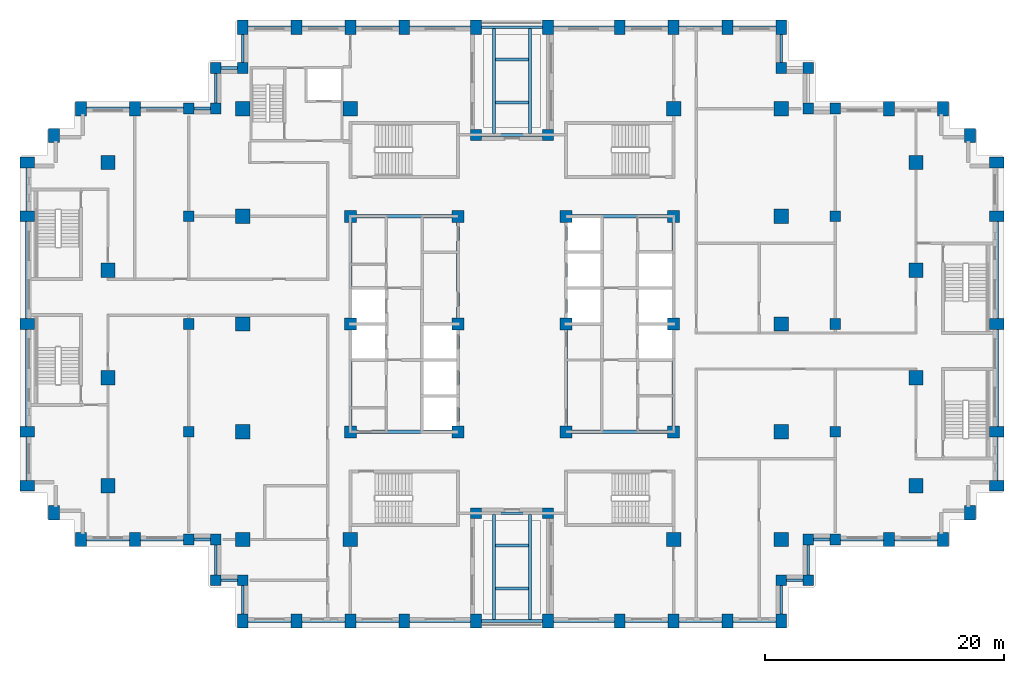
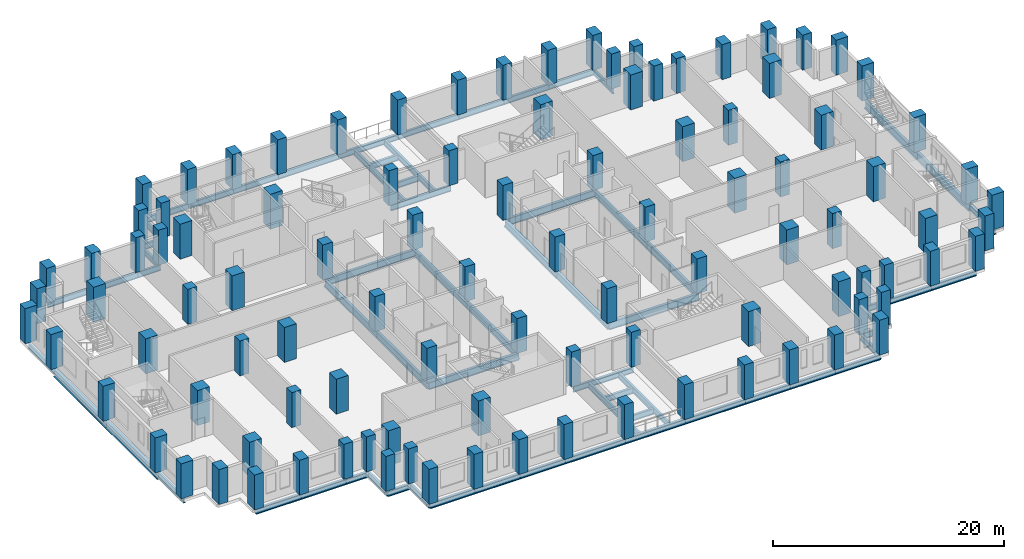
# One storey, part 1 of 13: 102 columns, 66 beams.
"""IFC4 building model written with IfcOpenShell, lengths in metres."""

from ifc_helpers import new_model, si_unit, direction, frame, origin, origin_2d, place, context, subcontext, project, spatial, rectangle, i_section, extrude, material, material_profile, profile_set, type_object, element, save


model = new_model("IFC4")

# Units and contexts
model_context = context("Model", 3, precision=1e-05, world=origin(), true_north=direction((0.0, 1.0)))
body_context = subcontext(model_context, "Body", "Model", "MODEL_VIEW")
ifc_project = project(units=[si_unit("LENGTHUNIT", "METRE"), si_unit("AREAUNIT", "SQUARE_METRE"), si_unit("VOLUMEUNIT", "CUBIC_METRE"), si_unit("PLANEANGLEUNIT", "RADIAN"), si_unit("MASSUNIT", "GRAM", prefix="KILO")], contexts=[model_context])

# Site, building, storey
site_placement = place(None, origin())
site = spatial("IfcSite", under=ifc_project, at=site_placement, CompositionType="ELEMENT")
building_placement = place(site_placement, origin())
building = spatial("IfcBuilding", under=site, at=building_placement, Name="Corbelhall Arena Tower", CompositionType="ELEMENT")
storey_placement = place(building_placement, frame((0.0, 0.0, 68.0)))
storey = spatial("IfcBuildingStorey", under=building, at=storey_placement, Name="L09", CompositionType="ELEMENT", Elevation=68.0)

# Columns
ifc_material_1 = material(Name="Concrete C80/95", Category="concrete")
ifc_material_profile_1 = material_profile(ifc_material_1, rectangle(XDim=1.0, YDim=1.0, at=origin_2d()))
ifc_profile_set_1 = profile_set([ifc_material_profile_1], Name="Concrete C80/95")
column_type_1 = type_object("IfcColumnType", Name="ST-COL-RC 1000x1000", PredefinedType="COLUMN", material=ifc_profile_set_1)
for number, where, z_axis, x_axis, name in (
    (1, (4.5, 0.0, 0.0), (0.0, 0.0, 1.0), (1.0, 0.0, 0.0), "Column KE+0450+0000"),
    (2, (4.5, 9.0, 0.0), (0.0, 0.0, 1.0), (1.0, 0.0, 0.0), "Column KE+0450+0900"),
    (3, (4.5, -9.0, 0.0), (0.0, 0.0, 1.0), (1.0, 0.0, 0.0), "Column KE+0450-0900"),
    (4, (13.5, 0.0, 0.0), (0.0, 0.0, 1.0), (1.0, 0.0, 0.0), "Column KE+1350+0000"),
    (5, (13.5, 9.0, 0.0), (0.0, 0.0, 1.0), (1.0, 0.0, 0.0), "Column KE+1350+0900"),
    (6, (13.5, -9.0, 0.0), (0.0, 0.0, 1.0), (1.0, 0.0, 0.0), "Column KE+1350-0900"),
    (7, (-4.5, 0.0, 0.0), (0.0, 0.0, 1.0), (1.0, 0.0, 0.0), "Column KW-0450+0000"),
    (8, (-4.5, 9.0, 0.0), (0.0, 0.0, 1.0), (1.0, 0.0, 0.0), "Column KW-0450+0900"),
    (9, (-4.5, -9.0, 0.0), (0.0, 0.0, 1.0), (1.0, 0.0, 0.0), "Column KW-0450-0900"),
    (10, (-13.5, 0.0, 0.0), (0.0, 0.0, 1.0), (1.0, 0.0, 0.0), "Column KW-1350+0000"),
    (11, (-13.5, 9.0, 0.0), (0.0, 0.0, 1.0), (1.0, 0.0, 0.0), "Column KW-1350+0900"),
    (12, (-13.5, -9.0, 0.0), (0.0, 0.0, 1.0), (1.0, 0.0, 0.0), "Column KW-1350-0900"),
):
    element("IfcColumn", number, at=place(storey_placement, frame(where, z_axis=z_axis, x_axis=x_axis)), inside=storey, type_object=column_type_1, Name=name, PredefinedType="COLUMN", context=body_context, shape_type="SweptSolid", body=[
        extrude(rectangle(XDim=1.0, YDim=1.0, at=origin_2d()), origin(), (0.0, 0.0, 1.0), 3.699951171875),
    ])
ifc_material_profile_2 = material_profile(ifc_material_1, rectangle(XDim=1.199951171875, YDim=1.199951171875, at=origin_2d()))
ifc_profile_set_2 = profile_set([ifc_material_profile_2], Name="Concrete C80/95")
column_type_2 = type_object("IfcColumnType", Name="ST-COL-RC 1200x1200", PredefinedType="COLUMN", material=ifc_profile_set_2)
for number, where, z_axis, x_axis, name in (
    (13, (-33.75, 4.5, 0.0), (0.0, 0.0, 1.0), (1.0, 0.0, 0.0), "Column FIC+0450"),
    (14, (-33.75, 13.5, 0.0), (0.0, 0.0, 1.0), (1.0, 0.0, 0.0), "Column FIC+1350"),
    (15, (-33.75, -4.5, 0.0), (0.0, 0.0, 1.0), (1.0, 0.0, 0.0), "Column FIC-0450"),
    (16, (-33.75, -13.5, 0.0), (0.0, 0.0, 1.0), (1.0, 0.0, 0.0), "Column FIC-1350"),
    (17, (33.75, 4.5, 0.0), (0.0, 0.0, 1.0), (1.0, 0.0, 0.0), "Column FID+0450"),
    (18, (33.75, 13.5, 0.0), (0.0, 0.0, 1.0), (1.0, 0.0, 0.0), "Column FID+1350"),
    (19, (33.75, -4.5, 0.0), (0.0, 0.0, 1.0), (1.0, 0.0, 0.0), "Column FID-0450"),
    (20, (33.75, -13.5, 0.0), (0.0, 0.0, 1.0), (1.0, 0.0, 0.0), "Column FID-1350"),
    (21, (13.5, 18.0, 0.0), (0.0, 0.0, 1.0), (1.0, 0.0, 0.0), "Column IE13+1800"),
    (22, (13.5, -18.0, 0.0), (0.0, 0.0, 1.0), (1.0, 0.0, 0.0), "Column IE13-1800"),
    (23, (22.5, 0.0, 0.0), (0.0, 0.0, 1.0), (1.0, 0.0, 0.0), "Column IE22+0000"),
    (24, (22.5, 9.0, 0.0), (0.0, 0.0, 1.0), (1.0, 0.0, 0.0), "Column IE22+0900"),
    (25, (22.5, 18.0, 0.0), (0.0, 0.0, 1.0), (1.0, 0.0, 0.0), "Column IE22+1800"),
    (26, (22.5, -9.0, 0.0), (0.0, 0.0, 1.0), (1.0, 0.0, 0.0), "Column IE22-0900"),
    (27, (22.5, -18.0, 0.0), (0.0, 0.0, 1.0), (1.0, 0.0, 0.0), "Column IE22-1800"),
    (28, (-13.5, 18.0, 0.0), (0.0, 0.0, 1.0), (1.0, 0.0, 0.0), "Column IW13+1800"),
    (29, (-13.5, -18.0, 0.0), (0.0, 0.0, 1.0), (1.0, 0.0, 0.0), "Column IW13-1800"),
    (30, (-22.5, 0.0, 0.0), (0.0, 0.0, 1.0), (1.0, 0.0, 0.0), "Column IW22+0000"),
    (31, (-22.5, 9.0, 0.0), (0.0, 0.0, 1.0), (1.0, 0.0, 0.0), "Column IW22+0900"),
    (32, (-22.5, 18.0, 0.0), (0.0, 0.0, 1.0), (1.0, 0.0, 0.0), "Column IW22+1800"),
    (33, (-22.5, -9.0, 0.0), (0.0, 0.0, 1.0), (1.0, 0.0, 0.0), "Column IW22-0900"),
    (34, (-22.5, -18.0, 0.0), (0.0, 0.0, 1.0), (1.0, 0.0, 0.0), "Column IW22-1800"),
):
    element("IfcColumn", number, at=place(storey_placement, frame(where, z_axis=z_axis, x_axis=x_axis)), inside=storey, type_object=column_type_2, Name=name, PredefinedType="COLUMN", context=body_context, shape_type="SweptSolid", body=[
        extrude(rectangle(XDim=1.199951171875, YDim=1.199951171875, at=origin_2d()), origin(), (0.0, 0.0, 1.0), 3.699951171875),
    ])
ifc_material_profile_3 = material_profile(ifc_material_1, rectangle(XDim=0.89990234375, YDim=1.199951171875, at=origin_2d()))
ifc_profile_set_3 = profile_set([ifc_material_profile_3], Name="Concrete C80/95")
column_type_3 = type_object("IfcColumnType", Name="ST-COL-RC 900x1200", PredefinedType="COLUMN", material=ifc_profile_set_3)
for number, where, z_axis, x_axis, name in (
    (35, (-40.5, 0.0, 0.0), (0.0, 0.0, 1.0), (0.0, 1.0, 0.0), "Column FC+0000"),
    (36, (-40.5, 9.0, 0.0), (0.0, 0.0, 1.0), (0.0, 1.0, 0.0), "Column FC+0900"),
    (37, (-40.5, 13.5, 0.0), (0.0, 0.0, 1.0), (0.0, 1.0, 0.0), "Column FC+1350"),
    (38, (-40.5, -9.0, 0.0), (0.0, 0.0, 1.0), (0.0, 1.0, 0.0), "Column FC-0900"),
    (39, (-40.5, -13.5, 0.0), (0.0, 0.0, 1.0), (0.0, 1.0, 0.0), "Column FC-1350"),
    (40, (-38.25, 15.75, 0.0), (0.0, 0.0, 1.0), (1.0, 0.0, 0.0), "Column FCCN"),
    (41, (-38.25, -15.75, 0.0), (0.0, 0.0, 1.0), (1.0, 0.0, 0.0), "Column FCCS"),
    (42, (-31.5, 18.0, 0.0), (0.0, 0.0, 1.0), (1.0, 0.0, 0.0), "Column FCN3150"),
    (43, (-36.0, 18.0, 0.0), (0.0, 0.0, 1.0), (1.0, 0.0, 0.0), "Column FCN3600"),
    (44, (-31.5, -18.0, 0.0), (0.0, 0.0, 1.0), (1.0, 0.0, 0.0), "Column FCS3150"),
    (45, (-36.0, -18.0, 0.0), (0.0, 0.0, 1.0), (1.0, 0.0, 0.0), "Column FCS3600"),
    (46, (40.5, 0.0, 0.0), (0.0, 0.0, 1.0), (0.0, 1.0, 0.0), "Column FD+0000"),
    (47, (40.5, 9.0, 0.0), (0.0, 0.0, 1.0), (0.0, 1.0, 0.0), "Column FD+0900"),
    (48, (40.5, 13.5, 0.0), (0.0, 0.0, 1.0), (0.0, 1.0, 0.0), "Column FD+1350"),
    (49, (40.5, -9.0, 0.0), (0.0, 0.0, 1.0), (0.0, 1.0, 0.0), "Column FD-0900"),
    (50, (40.5, -13.5, 0.0), (0.0, 0.0, 1.0), (0.0, 1.0, 0.0), "Column FD-1350"),
    (51, (38.25, 15.75, 0.0), (0.0, 0.0, 1.0), (1.0, 0.0, 0.0), "Column FDCN"),
    (52, (38.25, -15.75, 0.0), (0.0, 0.0, 1.0), (1.0, 0.0, 0.0), "Column FDCS"),
    (53, (31.5, 18.0, 0.0), (0.0, 0.0, 1.0), (1.0, 0.0, 0.0), "Column FDN3150"),
    (54, (36.0, 18.0, 0.0), (0.0, 0.0, 1.0), (1.0, 0.0, 0.0), "Column FDN3600"),
    (55, (31.5, -18.0, 0.0), (0.0, 0.0, 1.0), (1.0, 0.0, 0.0), "Column FDS3150"),
    (56, (36.0, -18.0, 0.0), (0.0, 0.0, 1.0), (1.0, 0.0, 0.0), "Column FDS3600"),
    (57, (3.0, 24.800048828125, 0.0), (0.0, 0.0, 1.0), (1.0, 0.0, 0.0), "Column PNE0300"),
    (58, (9.0, 24.800048828125, 0.0), (0.0, 0.0, 1.0), (1.0, 0.0, 0.0), "Column PNE0900"),
    (59, (13.5, 24.800048828125, 0.0), (0.0, 0.0, 1.0), (1.0, 0.0, 0.0), "Column PNE1350"),
    (60, (18.0, 24.800048828125, 0.0), (0.0, 0.0, 1.0), (1.0, 0.0, 0.0), "Column PNE1800"),
    (61, (22.5, 24.800048828125, 0.0), (0.0, 0.0, 1.0), (1.0, 0.0, 0.0), "Column PNE2250"),
    (62, (-3.0, 24.800048828125, 0.0), (0.0, 0.0, 1.0), (1.0, 0.0, 0.0), "Column PNW0300"),
    (63, (-9.0, 24.800048828125, 0.0), (0.0, 0.0, 1.0), (1.0, 0.0, 0.0), "Column PNW0900"),
    (64, (-13.5, 24.800048828125, 0.0), (0.0, 0.0, 1.0), (1.0, 0.0, 0.0), "Column PNW1350"),
    (65, (-18.0, 24.800048828125, 0.0), (0.0, 0.0, 1.0), (1.0, 0.0, 0.0), "Column PNW1800"),
    (66, (-22.5, 24.800048828125, 0.0), (0.0, 0.0, 1.0), (1.0, 0.0, 0.0), "Column PNW2250"),
    (67, (3.0, -24.800048828125, 0.0), (0.0, 0.0, 1.0), (1.0, 0.0, 0.0), "Column PSE0300"),
    (68, (9.0, -24.800048828125, 0.0), (0.0, 0.0, 1.0), (1.0, 0.0, 0.0), "Column PSE0900"),
    (69, (13.5, -24.800048828125, 0.0), (0.0, 0.0, 1.0), (1.0, 0.0, 0.0), "Column PSE1350"),
    (70, (18.0, -24.800048828125, 0.0), (0.0, 0.0, 1.0), (1.0, 0.0, 0.0), "Column PSE1800"),
    (71, (22.5, -24.800048828125, 0.0), (0.0, 0.0, 1.0), (1.0, 0.0, 0.0), "Column PSE2250"),
    (72, (-3.0, -24.800048828125, 0.0), (0.0, 0.0, 1.0), (1.0, 0.0, 0.0), "Column PSW0300"),
    (73, (-9.0, -24.800048828125, 0.0), (0.0, 0.0, 1.0), (1.0, 0.0, 0.0), "Column PSW0900"),
    (74, (-13.5, -24.800048828125, 0.0), (0.0, 0.0, 1.0), (1.0, 0.0, 0.0), "Column PSW1350"),
    (75, (-18.0, -24.800048828125, 0.0), (0.0, 0.0, 1.0), (1.0, 0.0, 0.0), "Column PSW1800"),
    (76, (-22.5, -24.800048828125, 0.0), (0.0, 0.0, 1.0), (1.0, 0.0, 0.0), "Column PSW2250"),
):
    element("IfcColumn", number, at=place(storey_placement, frame(where, z_axis=z_axis, x_axis=x_axis)), inside=storey, type_object=column_type_3, Name=name, PredefinedType="COLUMN", context=body_context, shape_type="SweptSolid", body=[
        extrude(rectangle(XDim=0.89990234375, YDim=1.199951171875, at=origin_2d()), origin(), (0.0, 0.0, 1.0), 3.699951171875),
    ])
ifc_material_profile_4 = material_profile(ifc_material_1, rectangle(XDim=0.89990234375, YDim=0.89990234375, at=origin_2d()))
ifc_profile_set_4 = profile_set([ifc_material_profile_4], Name="Concrete C80/95")
column_type_4 = type_object("IfcColumnType", Name="ST-COL-RC 900x900", PredefinedType="COLUMN", material=ifc_profile_set_4)
for number, where, z_axis, x_axis, name in (
    (77, (27.0, 0.0, 0.0), (0.0, 0.0, 1.0), (1.0, 0.0, 0.0), "Column PE+0000"),
    (78, (27.0, 9.0, 0.0), (0.0, 0.0, 1.0), (1.0, 0.0, 0.0), "Column PE+0900"),
    (79, (27.0, 18.0, 0.0), (0.0, 0.0, 1.0), (1.0, 0.0, 0.0), "Column PE+1800"),
    (80, (27.0, -9.0, 0.0), (0.0, 0.0, 1.0), (1.0, 0.0, 0.0), "Column PE-0900"),
    (81, (27.0, -18.0, 0.0), (0.0, 0.0, 1.0), (1.0, 0.0, 0.0), "Column PE-1800"),
    (82, (-27.0, 0.0, 0.0), (0.0, 0.0, 1.0), (1.0, 0.0, 0.0), "Column PW+0000"),
    (83, (-27.0, 9.0, 0.0), (0.0, 0.0, 1.0), (1.0, 0.0, 0.0), "Column PW+0900"),
    (84, (-27.0, 18.0, 0.0), (0.0, 0.0, 1.0), (1.0, 0.0, 0.0), "Column PW+1800"),
    (85, (-27.0, -9.0, 0.0), (0.0, 0.0, 1.0), (1.0, 0.0, 0.0), "Column PW-0900"),
    (86, (-27.0, -18.0, 0.0), (0.0, 0.0, 1.0), (1.0, 0.0, 0.0), "Column PW-1800"),
    (87, (3.0, 15.800048828125, 0.0), (0.0, 0.0, 1.0), (1.0, 0.0, 0.0), "Column SLNE2"),
    (88, (-3.0, 15.800048828125, 0.0), (0.0, 0.0, 1.0), (1.0, 0.0, 0.0), "Column SLNW2"),
    (89, (3.0, -15.800048828125, 0.0), (0.0, 0.0, 1.0), (1.0, 0.0, 0.0), "Column SLSE2"),
    (90, (-3.0, -15.800048828125, 0.0), (0.0, 0.0, 1.0), (1.0, 0.0, 0.0), "Column SLSW2"),
    (91, (22.5, 21.39990234375, 0.0), (0.0, 0.0, 1.0), (1.0, 0.0, 0.0), "Column XNE1"),
    (92, (24.75, 21.39990234375, 0.0), (0.0, 0.0, 1.0), (1.0, 0.0, 0.0), "Column XNE2"),
    (93, (24.75, 18.0, 0.0), (0.0, 0.0, 1.0), (1.0, 0.0, 0.0), "Column XNE3"),
    (94, (-22.5, 21.39990234375, 0.0), (0.0, 0.0, 1.0), (1.0, 0.0, 0.0), "Column XNW1"),
    (95, (-24.75, 21.39990234375, 0.0), (0.0, 0.0, 1.0), (1.0, 0.0, 0.0), "Column XNW2"),
    (96, (-24.75, 18.0, 0.0), (0.0, 0.0, 1.0), (1.0, 0.0, 0.0), "Column XNW3"),
    (97, (22.5, -21.39990234375, 0.0), (0.0, 0.0, 1.0), (1.0, 0.0, 0.0), "Column XSE1"),
    (98, (24.75, -21.39990234375, 0.0), (0.0, 0.0, 1.0), (1.0, 0.0, 0.0), "Column XSE2"),
    (99, (24.75, -18.0, 0.0), (0.0, 0.0, 1.0), (1.0, 0.0, 0.0), "Column XSE3"),
    (100, (-22.5, -21.39990234375, 0.0), (0.0, 0.0, 1.0), (1.0, 0.0, 0.0), "Column XSW1"),
    (101, (-24.75, -21.39990234375, 0.0), (0.0, 0.0, 1.0), (1.0, 0.0, 0.0), "Column XSW2"),
    (102, (-24.75, -18.0, 0.0), (0.0, 0.0, 1.0), (1.0, 0.0, 0.0), "Column XSW3"),
):
    element("IfcColumn", number, at=place(storey_placement, frame(where, z_axis=z_axis, x_axis=x_axis)), inside=storey, type_object=column_type_4, Name=name, PredefinedType="COLUMN", context=body_context, shape_type="SweptSolid", body=[
        extrude(rectangle(XDim=0.89990234375, YDim=0.89990234375, at=origin_2d()), origin(), (0.0, 0.0, 1.0), 3.699951171875),
    ])

# Beams
ifc_material_2 = material(Name="Steel ASTM A992 Gr50", Category="steel")
ifc_material_profile_5 = material_profile(ifc_material_2, i_section(OverallWidth=0.23046875, OverallDepth=0.6171875, WebThickness=0.01318359375, FlangeThickness=0.022216796875, at=origin_2d()))
ifc_profile_set_5 = profile_set([ifc_material_profile_5], Name="Steel ASTM A992 Gr50")
beam_type_1 = type_object("IfcBeamType", Name="ST-BEAM-W24x94", PredefinedType="BEAM", material=ifc_profile_set_5)
beam_1_placement = place(storey_placement, frame((-3.0, 15.800048828125, -0.608642578125), z_axis=(1.0, 0.0, 0.0), x_axis=(0.0, 1.0, 0.0)))
element("IfcBeam", 103, at=beam_1_placement, inside=storey, type_object=beam_type_1, Name="Beam SFN 1", PredefinedType="BEAM", context=body_context, shape_type="SweptSolid", body=[
    extrude(i_section(OverallWidth=0.23046875, OverallDepth=0.6171875, WebThickness=0.01318359375, FlangeThickness=0.022216796875, at=origin_2d()), origin(), (0.0, 0.0, 1.0), 6.0),
])
for number, where, z_axis, x_axis, name in (
    (104, (-1.5, 15.915283203125, -0.608642578125), (0.0, 1.0, 0.0), (-1.0, 0.0, 0.0), "Beam SFN 2"),
    (105, (1.5, 15.915283203125, -0.608642578125), (0.0, 1.0, 0.0), (-1.0, 0.0, 0.0), "Beam SFN 3"),
):
    element("IfcBeam", number, at=place(storey_placement, frame(where, z_axis=z_axis, x_axis=x_axis)), inside=storey, type_object=beam_type_1, Name=name, PredefinedType="BEAM", context=body_context, shape_type="SweptSolid", body=[
        extrude(i_section(OverallWidth=0.23046875, OverallDepth=0.6171875, WebThickness=0.01318359375, FlangeThickness=0.022216796875, at=origin_2d()), origin(), (0.0, 0.0, 1.0), 8.76953125),
    ])
for number, where, z_axis, x_axis, name in (
    (106, (-1.384765625, 18.5, -0.608642578125), (1.0, 0.0, 0.0), (0.0, 1.0, 0.0), "Beam SFN 4"),
    (107, (-1.384765625, 22.10009765625, -0.608642578125), (1.0, 0.0, 0.0), (0.0, 1.0, 0.0), "Beam SFN 5"),
):
    element("IfcBeam", number, at=place(storey_placement, frame(where, z_axis=z_axis, x_axis=x_axis)), inside=storey, type_object=beam_type_1, Name=name, PredefinedType="BEAM", context=body_context, shape_type="SweptSolid", body=[
        extrude(i_section(OverallWidth=0.23046875, OverallDepth=0.6171875, WebThickness=0.01318359375, FlangeThickness=0.022216796875, at=origin_2d()), origin(), (0.0, 0.0, 1.0), 2.76953125),
    ])
beam_2_placement = place(storey_placement, frame((-3.0, -15.800048828125, -0.608642578125), z_axis=(1.0, 0.0, 0.0), x_axis=(0.0, 1.0, 0.0)))
element("IfcBeam", 108, at=beam_2_placement, inside=storey, type_object=beam_type_1, Name="Beam SFS 1", PredefinedType="BEAM", context=body_context, shape_type="SweptSolid", body=[
    extrude(i_section(OverallWidth=0.23046875, OverallDepth=0.6171875, WebThickness=0.01318359375, FlangeThickness=0.022216796875, at=origin_2d()), origin(), (0.0, 0.0, 1.0), 6.0),
])
for number, where, z_axis, x_axis, name in (
    (109, (-1.5, -15.915283203125, -0.608642578125), (0.0, -1.0, 0.0), (1.0, 0.0, 0.0), "Beam SFS 2"),
    (110, (1.5, -15.915283203125, -0.608642578125), (0.0, -1.0, 0.0), (1.0, 0.0, 0.0), "Beam SFS 3"),
):
    element("IfcBeam", number, at=place(storey_placement, frame(where, z_axis=z_axis, x_axis=x_axis)), inside=storey, type_object=beam_type_1, Name=name, PredefinedType="BEAM", context=body_context, shape_type="SweptSolid", body=[
        extrude(i_section(OverallWidth=0.23046875, OverallDepth=0.6171875, WebThickness=0.01318359375, FlangeThickness=0.022216796875, at=origin_2d()), origin(), (0.0, 0.0, 1.0), 8.76953125),
    ])
for number, where, z_axis, x_axis, name in (
    (111, (-1.384765625, -18.5, -0.608642578125), (1.0, 0.0, 0.0), (0.0, 1.0, 0.0), "Beam SFS 4"),
    (112, (-1.384765625, -22.10009765625, -0.608642578125), (1.0, 0.0, 0.0), (0.0, 1.0, 0.0), "Beam SFS 5"),
):
    element("IfcBeam", number, at=place(storey_placement, frame(where, z_axis=z_axis, x_axis=x_axis)), inside=storey, type_object=beam_type_1, Name=name, PredefinedType="BEAM", context=body_context, shape_type="SweptSolid", body=[
        extrude(i_section(OverallWidth=0.23046875, OverallDepth=0.6171875, WebThickness=0.01318359375, FlangeThickness=0.022216796875, at=origin_2d()), origin(), (0.0, 0.0, 1.0), 2.76953125),
    ])
ifc_material_profile_6 = material_profile(ifc_material_2, i_section(OverallWidth=0.2666015625, OverallDepth=0.761962890625, WebThickness=0.014404296875, FlangeThickness=0.021484375, at=origin_2d()))
ifc_profile_set_6 = profile_set([ifc_material_profile_6], Name="Steel ASTM A992 Gr50")
beam_type_2 = type_object("IfcBeamType", Name="ST-BEAM-W30x116", PredefinedType="BEAM", material=ifc_profile_set_6)
for number, where, z_axis, x_axis, name in (
    (113, (-13.5, -9.0, -0.680908203125), (0.0, 1.0, 0.0), (-1.0, 0.0, 0.0), "Beam CEW 1"),
    (114, (-13.5, 0.0, -0.680908203125), (0.0, 1.0, 0.0), (-1.0, 0.0, 0.0), "Beam CEW 2"),
    (115, (-4.5, -9.0, -0.680908203125), (0.0, 1.0, 0.0), (-1.0, 0.0, 0.0), "Beam CEW 3"),
    (116, (-4.5, 0.0, -0.680908203125), (0.0, 1.0, 0.0), (-1.0, 0.0, 0.0), "Beam CEW 4"),
    (117, (-13.5, -9.0, -0.680908203125), (1.0, 0.0, 0.0), (0.0, 1.0, 0.0), "Beam CEW 5"),
    (118, (-13.5, 9.0, -0.680908203125), (1.0, 0.0, 0.0), (0.0, 1.0, 0.0), "Beam CEW 6"),
    (119, (4.5, -9.0, -0.680908203125), (0.0, 1.0, 0.0), (-1.0, 0.0, 0.0), "Beam CEE 7"),
    (120, (4.5, 0.0, -0.680908203125), (0.0, 1.0, 0.0), (-1.0, 0.0, 0.0), "Beam CEE 8"),
    (121, (13.5, -9.0, -0.680908203125), (0.0, 1.0, 0.0), (-1.0, 0.0, 0.0), "Beam CEE 9"),
    (122, (13.5, 0.0, -0.680908203125), (0.0, 1.0, 0.0), (-1.0, 0.0, 0.0), "Beam CEE 10"),
    (123, (4.5, -9.0, -0.680908203125), (1.0, 0.0, 0.0), (0.0, 1.0, 0.0), "Beam CEE 11"),
    (124, (4.5, 9.0, -0.680908203125), (1.0, 0.0, 0.0), (0.0, 1.0, 0.0), "Beam CEE 12"),
):
    element("IfcBeam", number, at=place(storey_placement, frame(where, z_axis=z_axis, x_axis=x_axis)), inside=storey, type_object=beam_type_2, Name=name, PredefinedType="BEAM", context=body_context, shape_type="SweptSolid", body=[
        extrude(i_section(OverallWidth=0.2666015625, OverallDepth=0.761962890625, WebThickness=0.014404296875, FlangeThickness=0.021484375, at=origin_2d()), origin(), (0.0, 0.0, 1.0), 9.0),
    ])
ifc_material_profile_7 = material_profile(ifc_material_2, i_section(OverallWidth=0.23046875, OverallDepth=0.6171875, WebThickness=0.01318359375, FlangeThickness=0.022216796875, at=origin_2d()))
ifc_profile_set_7 = profile_set([ifc_material_profile_7], Name="Steel ASTM A992 Gr50")
beam_type_3 = type_object("IfcBeamType", Name="ST-SPANDREL-W24x94", PredefinedType="SPANDREL", material=ifc_profile_set_7)
for number, where, z_axis, x_axis, name in (
    (125, (-40.5, 9.0, -0.608642578125), (0.0, 1.0, 0.0), (-1.0, 0.0, 0.0), "Beam SP 2"),
    (126, (-40.5, -13.5, -0.608642578125), (0.0, 1.0, 0.0), (-1.0, 0.0, 0.0), "Beam SP 4"),
    (127, (-31.5, 18.0, -0.608642578125), (1.0, 0.0, 0.0), (0.0, 1.0, 0.0), "Beam SP 5"),
    (128, (-36.0, 18.0, -0.608642578125), (1.0, 0.0, 0.0), (0.0, 1.0, 0.0), "Beam SP 6"),
    (129, (-31.5, -18.0, -0.608642578125), (-1.0, 0.0, 0.0), (0.0, -1.0, 0.0), "Beam SP 7"),
    (130, (40.5, -9.0, -0.608642578125), (0.0, -1.0, 0.0), (1.0, 0.0, 0.0), "Beam SP 11"),
    (131, (31.5, -18.0, -0.608642578125), (-1.0, 0.0, 0.0), (0.0, -1.0, 0.0), "Beam SP 13"),
    (132, (36.0, -18.0, -0.608642578125), (-1.0, 0.0, 0.0), (0.0, -1.0, 0.0), "Beam SP 14"),
):
    element("IfcBeam", number, at=place(storey_placement, frame(where, z_axis=z_axis, x_axis=x_axis)), inside=storey, type_object=beam_type_3, Name=name, PredefinedType="SPANDREL", context=body_context, shape_type="SweptSolid", body=[
        extrude(i_section(OverallWidth=0.23046875, OverallDepth=0.6171875, WebThickness=0.01318359375, FlangeThickness=0.022216796875, at=origin_2d()), origin(), (0.0, 0.0, 1.0), 4.5),
    ])
beam_3_placement = place(storey_placement, frame((27.0, -18.0, -0.608642578125), z_axis=(-1.0, 0.0, 0.0), x_axis=(0.0, -1.0, 0.0)))
element("IfcBeam", 133, at=beam_3_placement, inside=storey, type_object=beam_type_3, Name="Beam SP 16", PredefinedType="SPANDREL", context=body_context, shape_type="SweptSolid", body=[
    extrude(i_section(OverallWidth=0.23046875, OverallDepth=0.6171875, WebThickness=0.01318359375, FlangeThickness=0.022216796875, at=origin_2d()), origin(), (0.0, 0.0, 1.0), 2.25),
])
beam_4_placement = place(storey_placement, frame((3.0, 24.800048828125, -0.608642578125), z_axis=(1.0, 0.0, 0.0), x_axis=(0.0, 1.0, 0.0)))
element("IfcBeam", 134, at=beam_4_placement, inside=storey, type_object=beam_type_3, Name="Beam SP 17", PredefinedType="SPANDREL", context=body_context, shape_type="SweptSolid", body=[
    extrude(i_section(OverallWidth=0.23046875, OverallDepth=0.6171875, WebThickness=0.01318359375, FlangeThickness=0.022216796875, at=origin_2d()), origin(), (0.0, 0.0, 1.0), 6.0),
])
for number, where, z_axis, x_axis, name in (
    (135, (9.0, 24.800048828125, -0.608642578125), (1.0, 0.0, 0.0), (0.0, 1.0, 0.0), "Beam SP 18"),
    (136, (13.5, 24.800048828125, -0.608642578125), (1.0, 0.0, 0.0), (0.0, 1.0, 0.0), "Beam SP 19"),
    (137, (18.0, 24.800048828125, -0.608642578125), (1.0, 0.0, 0.0), (0.0, 1.0, 0.0), "Beam SP 20"),
):
    element("IfcBeam", number, at=place(storey_placement, frame(where, z_axis=z_axis, x_axis=x_axis)), inside=storey, type_object=beam_type_3, Name=name, PredefinedType="SPANDREL", context=body_context, shape_type="SweptSolid", body=[
        extrude(i_section(OverallWidth=0.23046875, OverallDepth=0.6171875, WebThickness=0.01318359375, FlangeThickness=0.022216796875, at=origin_2d()), origin(), (0.0, 0.0, 1.0), 4.5),
    ])
beam_5_placement = place(storey_placement, frame((22.5, 24.800048828125, -0.608642578125), z_axis=(0.0, -1.0, 0.0), x_axis=(1.0, 0.0, 0.0)))
element("IfcBeam", 138, at=beam_5_placement, inside=storey, type_object=beam_type_3, Name="Beam SP 21", PredefinedType="SPANDREL", context=body_context, shape_type="SweptSolid", body=[
    extrude(i_section(OverallWidth=0.23046875, OverallDepth=0.6171875, WebThickness=0.01318359375, FlangeThickness=0.022216796875, at=origin_2d()), origin(), (0.0, 0.0, 1.0), 3.400146484375),
])
for number, where, z_axis, x_axis, name in (
    (139, (-3.0, 24.800048828125, -0.608642578125), (1.0, 0.0, 0.0), (0.0, 1.0, 0.0), "Beam SP 22"),
    (140, (-9.0, 24.800048828125, -0.608642578125), (1.0, 0.0, 0.0), (0.0, 1.0, 0.0), "Beam SP 23"),
):
    element("IfcBeam", number, at=place(storey_placement, frame(where, z_axis=z_axis, x_axis=x_axis)), inside=storey, type_object=beam_type_3, Name=name, PredefinedType="SPANDREL", context=body_context, shape_type="SweptSolid", body=[
        extrude(i_section(OverallWidth=0.23046875, OverallDepth=0.6171875, WebThickness=0.01318359375, FlangeThickness=0.022216796875, at=origin_2d()), origin(), (0.0, 0.0, 1.0), 6.0),
    ])
for number, where, z_axis, x_axis, name in (
    (141, (-13.5, 24.800048828125, -0.608642578125), (1.0, 0.0, 0.0), (0.0, 1.0, 0.0), "Beam SP 24"),
    (142, (-18.0, 24.800048828125, -0.608642578125), (1.0, 0.0, 0.0), (0.0, 1.0, 0.0), "Beam SP 25"),
    (143, (-22.5, 24.800048828125, -0.608642578125), (1.0, 0.0, 0.0), (0.0, 1.0, 0.0), "Beam SP 26"),
):
    element("IfcBeam", number, at=place(storey_placement, frame(where, z_axis=z_axis, x_axis=x_axis)), inside=storey, type_object=beam_type_3, Name=name, PredefinedType="SPANDREL", context=body_context, shape_type="SweptSolid", body=[
        extrude(i_section(OverallWidth=0.23046875, OverallDepth=0.6171875, WebThickness=0.01318359375, FlangeThickness=0.022216796875, at=origin_2d()), origin(), (0.0, 0.0, 1.0), 4.5),
    ])
for number, where, z_axis, x_axis, name in (
    (144, (3.0, -24.800048828125, -0.608642578125), (-1.0, 0.0, 0.0), (0.0, -1.0, 0.0), "Beam SP 27"),
    (145, (9.0, -24.800048828125, -0.608642578125), (-1.0, 0.0, 0.0), (0.0, -1.0, 0.0), "Beam SP 28"),
):
    element("IfcBeam", number, at=place(storey_placement, frame(where, z_axis=z_axis, x_axis=x_axis)), inside=storey, type_object=beam_type_3, Name=name, PredefinedType="SPANDREL", context=body_context, shape_type="SweptSolid", body=[
        extrude(i_section(OverallWidth=0.23046875, OverallDepth=0.6171875, WebThickness=0.01318359375, FlangeThickness=0.022216796875, at=origin_2d()), origin(), (0.0, 0.0, 1.0), 6.0),
    ])
for number, where, z_axis, x_axis, name in (
    (146, (13.5, -24.800048828125, -0.608642578125), (-1.0, 0.0, 0.0), (0.0, -1.0, 0.0), "Beam SP 29"),
    (147, (18.0, -24.800048828125, -0.608642578125), (-1.0, 0.0, 0.0), (0.0, -1.0, 0.0), "Beam SP 30"),
    (148, (22.5, -24.800048828125, -0.608642578125), (-1.0, 0.0, 0.0), (0.0, -1.0, 0.0), "Beam SP 31"),
):
    element("IfcBeam", number, at=place(storey_placement, frame(where, z_axis=z_axis, x_axis=x_axis)), inside=storey, type_object=beam_type_3, Name=name, PredefinedType="SPANDREL", context=body_context, shape_type="SweptSolid", body=[
        extrude(i_section(OverallWidth=0.23046875, OverallDepth=0.6171875, WebThickness=0.01318359375, FlangeThickness=0.022216796875, at=origin_2d()), origin(), (0.0, 0.0, 1.0), 4.5),
    ])
beam_6_placement = place(storey_placement, frame((-3.0, -24.800048828125, -0.608642578125), z_axis=(-1.0, 0.0, 0.0), x_axis=(0.0, -1.0, 0.0)))
element("IfcBeam", 149, at=beam_6_placement, inside=storey, type_object=beam_type_3, Name="Beam SP 32", PredefinedType="SPANDREL", context=body_context, shape_type="SweptSolid", body=[
    extrude(i_section(OverallWidth=0.23046875, OverallDepth=0.6171875, WebThickness=0.01318359375, FlangeThickness=0.022216796875, at=origin_2d()), origin(), (0.0, 0.0, 1.0), 6.0),
])
for number, where, z_axis, x_axis, name in (
    (150, (-9.0, -24.800048828125, -0.608642578125), (-1.0, 0.0, 0.0), (0.0, -1.0, 0.0), "Beam SP 33"),
    (151, (-13.5, -24.800048828125, -0.608642578125), (-1.0, 0.0, 0.0), (0.0, -1.0, 0.0), "Beam SP 34"),
    (152, (-18.0, -24.800048828125, -0.608642578125), (-1.0, 0.0, 0.0), (0.0, -1.0, 0.0), "Beam SP 35"),
):
    element("IfcBeam", number, at=place(storey_placement, frame(where, z_axis=z_axis, x_axis=x_axis)), inside=storey, type_object=beam_type_3, Name=name, PredefinedType="SPANDREL", context=body_context, shape_type="SweptSolid", body=[
        extrude(i_section(OverallWidth=0.23046875, OverallDepth=0.6171875, WebThickness=0.01318359375, FlangeThickness=0.022216796875, at=origin_2d()), origin(), (0.0, 0.0, 1.0), 4.5),
    ])
beam_7_placement = place(storey_placement, frame((-22.5, -24.800048828125, -0.608642578125), z_axis=(0.0, 1.0, 0.0), x_axis=(-1.0, 0.0, 0.0)))
element("IfcBeam", 153, at=beam_7_placement, inside=storey, type_object=beam_type_3, Name="Beam SP 36", PredefinedType="SPANDREL", context=body_context, shape_type="SweptSolid", body=[
    extrude(i_section(OverallWidth=0.23046875, OverallDepth=0.6171875, WebThickness=0.01318359375, FlangeThickness=0.022216796875, at=origin_2d()), origin(), (0.0, 0.0, 1.0), 3.400146484375),
])
beam_8_placement = place(storey_placement, frame((-27.0, 18.0, -0.608642578125), z_axis=(1.0, 0.0, 0.0), x_axis=(0.0, 1.0, 0.0)))
element("IfcBeam", 154, at=beam_8_placement, inside=storey, type_object=beam_type_3, Name="Beam SP 37", PredefinedType="SPANDREL", context=body_context, shape_type="SweptSolid", body=[
    extrude(i_section(OverallWidth=0.23046875, OverallDepth=0.6171875, WebThickness=0.01318359375, FlangeThickness=0.022216796875, at=origin_2d()), origin(), (0.0, 0.0, 1.0), 2.25),
])
beam_9_placement = place(storey_placement, frame((-27.0, -18.0, -0.608642578125), z_axis=(-1.0, 0.0, 0.0), x_axis=(0.0, -1.0, 0.0)))
element("IfcBeam", 155, at=beam_9_placement, inside=storey, type_object=beam_type_3, Name="Beam SP 38", PredefinedType="SPANDREL", context=body_context, shape_type="SweptSolid", body=[
    extrude(i_section(OverallWidth=0.23046875, OverallDepth=0.6171875, WebThickness=0.01318359375, FlangeThickness=0.022216796875, at=origin_2d()), origin(), (0.0, 0.0, 1.0), 4.5),
])
beam_10_placement = place(storey_placement, frame((-22.5, 21.39990234375, -0.608642578125), z_axis=(0.0, 1.0, 0.0), x_axis=(-1.0, 0.0, 0.0)))
element("IfcBeam", 156, at=beam_10_placement, inside=storey, type_object=beam_type_3, Name="Beam SP 42", PredefinedType="SPANDREL", context=body_context, shape_type="SweptSolid", body=[
    extrude(i_section(OverallWidth=0.23046875, OverallDepth=0.6171875, WebThickness=0.01318359375, FlangeThickness=0.022216796875, at=origin_2d()), origin(), (0.0, 0.0, 1.0), 3.400146484375),
])
beam_11_placement = place(storey_placement, frame((-24.75, 21.39990234375, -0.608642578125), z_axis=(1.0, 0.0, 0.0), x_axis=(0.0, 1.0, 0.0)))
element("IfcBeam", 157, at=beam_11_placement, inside=storey, type_object=beam_type_3, Name="Beam SP 43", PredefinedType="SPANDREL", context=body_context, shape_type="SweptSolid", body=[
    extrude(i_section(OverallWidth=0.23046875, OverallDepth=0.6171875, WebThickness=0.01318359375, FlangeThickness=0.022216796875, at=origin_2d()), origin(), (0.0, 0.0, 1.0), 2.25),
])
beam_12_placement = place(storey_placement, frame((-24.75, 18.0, -0.608642578125), z_axis=(0.0, 1.0, 0.0), x_axis=(-1.0, 0.0, 0.0)))
element("IfcBeam", 158, at=beam_12_placement, inside=storey, type_object=beam_type_3, Name="Beam SP 44", PredefinedType="SPANDREL", context=body_context, shape_type="SweptSolid", body=[
    extrude(i_section(OverallWidth=0.23046875, OverallDepth=0.6171875, WebThickness=0.01318359375, FlangeThickness=0.022216796875, at=origin_2d()), origin(), (0.0, 0.0, 1.0), 3.39990234375),
])
beam_13_placement = place(storey_placement, frame((22.5, -21.39990234375, -0.608642578125), z_axis=(0.0, -1.0, 0.0), x_axis=(1.0, 0.0, 0.0)))
element("IfcBeam", 159, at=beam_13_placement, inside=storey, type_object=beam_type_3, Name="Beam SP 45", PredefinedType="SPANDREL", context=body_context, shape_type="SweptSolid", body=[
    extrude(i_section(OverallWidth=0.23046875, OverallDepth=0.6171875, WebThickness=0.01318359375, FlangeThickness=0.022216796875, at=origin_2d()), origin(), (0.0, 0.0, 1.0), 3.400146484375),
])
beam_14_placement = place(storey_placement, frame((24.75, -21.39990234375, -0.608642578125), z_axis=(-1.0, 0.0, 0.0), x_axis=(0.0, -1.0, 0.0)))
element("IfcBeam", 160, at=beam_14_placement, inside=storey, type_object=beam_type_3, Name="Beam SP 46", PredefinedType="SPANDREL", context=body_context, shape_type="SweptSolid", body=[
    extrude(i_section(OverallWidth=0.23046875, OverallDepth=0.6171875, WebThickness=0.01318359375, FlangeThickness=0.022216796875, at=origin_2d()), origin(), (0.0, 0.0, 1.0), 2.25),
])
beam_15_placement = place(storey_placement, frame((24.75, -18.0, -0.608642578125), z_axis=(0.0, -1.0, 0.0), x_axis=(1.0, 0.0, 0.0)))
element("IfcBeam", 161, at=beam_15_placement, inside=storey, type_object=beam_type_3, Name="Beam SP 47", PredefinedType="SPANDREL", context=body_context, shape_type="SweptSolid", body=[
    extrude(i_section(OverallWidth=0.23046875, OverallDepth=0.6171875, WebThickness=0.01318359375, FlangeThickness=0.022216796875, at=origin_2d()), origin(), (0.0, 0.0, 1.0), 3.39990234375),
])
beam_16_placement = place(storey_placement, frame((-22.5, -21.39990234375, -0.608642578125), z_axis=(-1.0, 0.0, 0.0), x_axis=(0.0, -1.0, 0.0)))
element("IfcBeam", 162, at=beam_16_placement, inside=storey, type_object=beam_type_3, Name="Beam SP 48", PredefinedType="SPANDREL", context=body_context, shape_type="SweptSolid", body=[
    extrude(i_section(OverallWidth=0.23046875, OverallDepth=0.6171875, WebThickness=0.01318359375, FlangeThickness=0.022216796875, at=origin_2d()), origin(), (0.0, 0.0, 1.0), 2.25),
])
beam_17_placement = place(storey_placement, frame((-24.75, -21.39990234375, -0.608642578125), z_axis=(0.0, 1.0, 0.0), x_axis=(-1.0, 0.0, 0.0)))
element("IfcBeam", 163, at=beam_17_placement, inside=storey, type_object=beam_type_3, Name="Beam SP 49", PredefinedType="SPANDREL", context=body_context, shape_type="SweptSolid", body=[
    extrude(i_section(OverallWidth=0.23046875, OverallDepth=0.6171875, WebThickness=0.01318359375, FlangeThickness=0.022216796875, at=origin_2d()), origin(), (0.0, 0.0, 1.0), 3.39990234375),
])
beam_18_placement = place(storey_placement, frame((-24.75, -18.0, -0.608642578125), z_axis=(-1.0, 0.0, 0.0), x_axis=(0.0, -1.0, 0.0)))
element("IfcBeam", 164, at=beam_18_placement, inside=storey, type_object=beam_type_3, Name="Beam SP 50", PredefinedType="SPANDREL", context=body_context, shape_type="SweptSolid", body=[
    extrude(i_section(OverallWidth=0.23046875, OverallDepth=0.6171875, WebThickness=0.01318359375, FlangeThickness=0.022216796875, at=origin_2d()), origin(), (0.0, 0.0, 1.0), 2.25),
])
ifc_material_profile_8 = material_profile(ifc_material_2, i_section(OverallWidth=0.2919921875, OverallDepth=0.845703125, WebThickness=0.015380859375, FlangeThickness=0.0244140625, at=origin_2d()))
ifc_profile_set_8 = profile_set([ifc_material_profile_8], Name="Steel ASTM A992 Gr50")
beam_type_4 = type_object("IfcBeamType", Name="ST-SPANDREL-W33x141", PredefinedType="SPANDREL", material=ifc_profile_set_8)
for number, where, z_axis, x_axis, name in (
    (165, (-40.5, 0.0, -0.722900390625), (0.0, 1.0, 0.0), (-1.0, 0.0, 0.0), "Beam SP 1"),
    (166, (-40.5, -9.0, -0.722900390625), (0.0, 1.0, 0.0), (-1.0, 0.0, 0.0), "Beam SP 3"),
    (167, (40.5, 0.0, -0.722900390625), (0.0, -1.0, 0.0), (1.0, 0.0, 0.0), "Beam SP 8"),
    (168, (40.5, 9.0, -0.722900390625), (0.0, -1.0, 0.0), (1.0, 0.0, 0.0), "Beam SP 9"),
):
    element("IfcBeam", number, at=place(storey_placement, frame(where, z_axis=z_axis, x_axis=x_axis)), inside=storey, type_object=beam_type_4, Name=name, PredefinedType="SPANDREL", context=body_context, shape_type="SweptSolid", body=[
        extrude(i_section(OverallWidth=0.2919921875, OverallDepth=0.845703125, WebThickness=0.015380859375, FlangeThickness=0.0244140625, at=origin_2d()), origin(), (0.0, 0.0, 1.0), 9.0),
    ])

save(model, "model.ifc")
